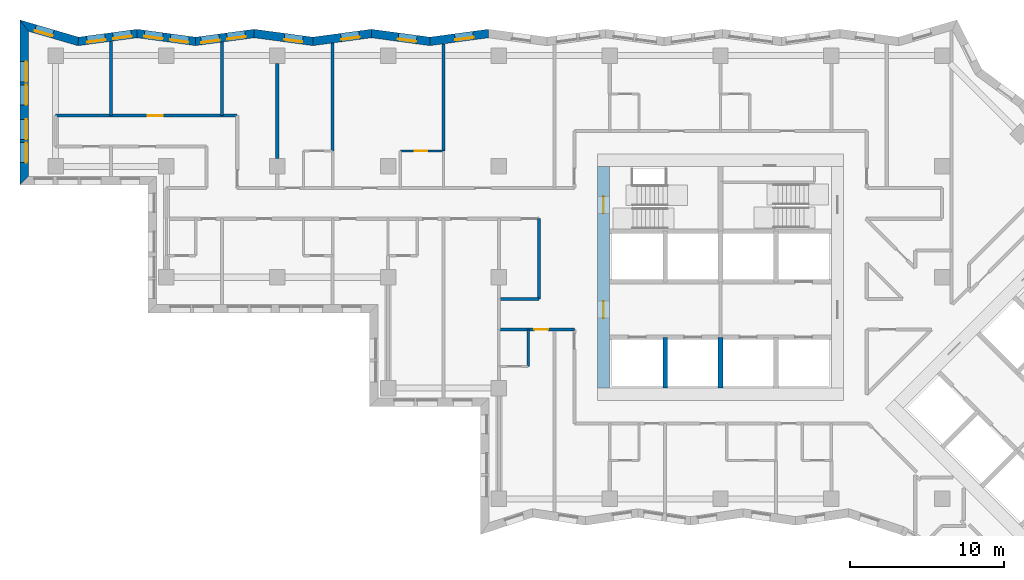
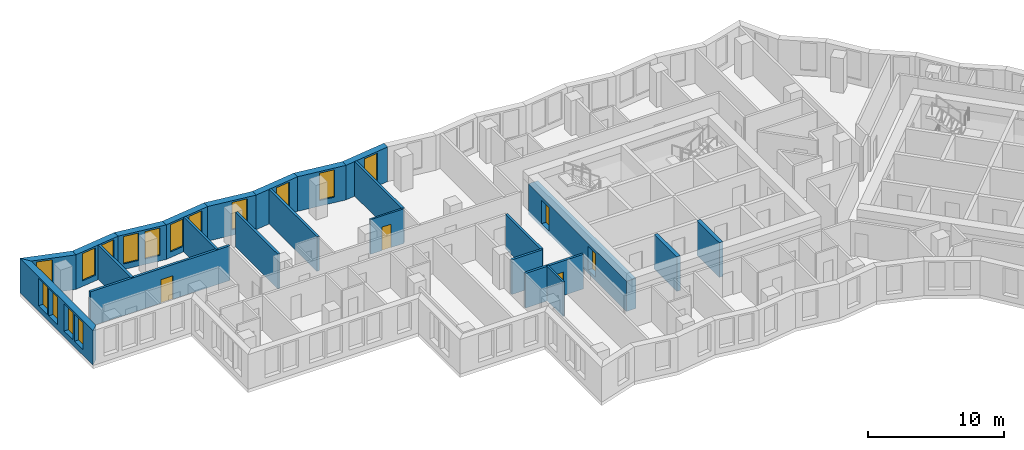
# One storey, part 5 of 13: 23 walls, 15 windows, 5 doors, 20 openings.
"""IFC4 building model written with IfcOpenShell, lengths in metres."""

from ifc_helpers import new_model, si_unit, direction, frame, frame_2d, origin, place, context, subcontext, project, spatial, polyline, rectangle, outline, extrude, material, layer, layer_set, type_object, element, fill, save


model = new_model("IFC4")

# Units and contexts
model_context = context("Model", 3, precision=1e-05, world=origin(), true_north=direction((0.0, 1.0)))
body_context = subcontext(model_context, "Body", "Model", "MODEL_VIEW")
ifc_project = project(units=[si_unit("LENGTHUNIT", "METRE"), si_unit("AREAUNIT", "SQUARE_METRE"), si_unit("VOLUMEUNIT", "CUBIC_METRE"), si_unit("PLANEANGLEUNIT", "RADIAN"), si_unit("MASSUNIT", "GRAM", prefix="KILO")], contexts=[model_context])

# Site, building, storey
site_placement = place(None, origin())
site = spatial("IfcSite", under=ifc_project, at=site_placement, CompositionType="ELEMENT")
building_placement = place(site_placement, origin())
building = spatial("IfcBuilding", under=site, at=building_placement, Name="Windrow Commons", CompositionType="ELEMENT")
storey_placement = place(building_placement, frame((0.0, 0.0, 105.0)))
storey = spatial("IfcBuildingStorey", under=building, at=storey_placement, Name="L28", CompositionType="ELEMENT", Elevation=105.0)

# Wall, opening, window
ifc_material_1 = material(Name="Brick masonry, red clay brick", Category="masonry")
ifc_layer_1 = layer(ifc_material_1, 0.55)
ifc_layer_set_1 = layer_set([ifc_layer_1], Name="Brick facade wall 550")
wall_type_1 = type_object("IfcWallType", Name="Brick facade wall 550", PredefinedType="SOLIDWALL", material=ifc_layer_set_1)
wall_1_placement = place(storey_placement, frame((49.7229, 73.4345, 0.0), z_axis=(0.0, 0.0, 1.0), x_axis=(-0.9910651652, -0.1333785524, 0.0)))
wall_1 = element("IfcWall", 1, at=wall_1_placement, inside=storey, type_object=wall_type_1, Name="Brick facade wall L28 29", PredefinedType="SOLIDWALL", context=body_context, shape_type="SweptSolid", body=[
    extrude(outline(polyline([(-0.037, -0.275), (3.8016, -0.275), (3.8757, 0.275), (0.037, 0.275), (-0.037, -0.275)])), origin(), (0.0, 0.0, 1.0), 3.1),
])
opening_1_placement = place(wall_1_placement, frame((0.9931, 0.0, 0.5)))
opening_1 = element("IfcOpeningElement", 2, at=opening_1_placement, cuts=wall_1, Name="Opening W7D", PredefinedType="OPENING", context=body_context, shape_type="SweptSolid", body=[
    extrude(rectangle(XDim=1.2, YDim=2.45, at=frame_2d((0.6, 1.225))), frame((0.0, 0.285, 0.0), z_axis=(0.0, -1.0, 0.0), x_axis=(1.0, 0.0, 0.0)), (0.0, 0.0, 1.0), 0.57),
])
ifc_material_2 = material(Name="Clear float glass in anodised aluminium frame", Category="aluminium")
window_type_1 = type_object("IfcWindowType", Name="Window W7 notch 1200x2450", PartitioningType="SINGLE_PANEL", PredefinedType="WINDOW", material=ifc_material_2)
window_1_placement = place(opening_1_placement, origin())
window_1 = element("IfcWindow", 3, at=window_1_placement, inside=storey, type_object=window_type_1, Name="Window L28 29.1", OverallHeight=2.45, OverallWidth=1.2, PartitioningType="SINGLE_PANEL", PredefinedType="WINDOW", context=body_context, shape_type="SweptSolid", body=[
    extrude(rectangle(XDim=1.2, YDim=2.45, at=frame_2d((0.6, 1.225))), frame((0.0, 0.155, 0.0), z_axis=(0.0, -1.0, 0.0), x_axis=(1.0, 0.0, 0.0)), (0.0, 0.0, 1.0), 0.06),
])
fill(opening_1, window_1)

wall_2_placement = place(storey_placement, frame((45.9185, 72.9225, 0.0), z_axis=(0.0, 0.0, 1.0), x_axis=(-0.9910651652, 0.1333785524, 0.0)))
wall_2 = element("IfcWall", 4, at=wall_2_placement, inside=storey, type_object=wall_type_1, Name="Brick facade wall L28 30", PredefinedType="SOLIDWALL", context=body_context, shape_type="SweptSolid", body=[
    extrude(outline(polyline([(0.037, -0.275), (3.8757, -0.275), (3.8016, 0.275), (-0.037, 0.275), (0.037, -0.275)])), origin(), (0.0, 0.0, 1.0), 3.1),
])
opening_2_placement = place(wall_2_placement, frame((0.8715, 0.0, 0.5)))
opening_2 = element("IfcOpeningElement", 5, at=opening_2_placement, cuts=wall_2, Name="Opening W7D", PredefinedType="OPENING", context=body_context, shape_type="SweptSolid", body=[
    extrude(rectangle(XDim=1.2, YDim=2.45, at=frame_2d((0.6, 1.225))), frame((0.0, 0.285, 0.0), z_axis=(0.0, -1.0, 0.0), x_axis=(1.0, 0.0, 0.0)), (0.0, 0.0, 1.0), 0.57),
])
window_2_placement = place(opening_2_placement, origin())
window_2 = element("IfcWindow", 6, at=window_2_placement, inside=storey, type_object=window_type_1, Name="Window L28 30.1", OverallHeight=2.45, OverallWidth=1.2, PartitioningType="SINGLE_PANEL", PredefinedType="WINDOW", context=body_context, shape_type="SweptSolid", body=[
    extrude(rectangle(XDim=1.2, YDim=2.45, at=frame_2d((0.6, 1.225))), frame((0.0, 0.155, 0.0), z_axis=(0.0, -1.0, 0.0), x_axis=(1.0, 0.0, 0.0)), (0.0, 0.0, 1.0), 0.06),
])
fill(opening_2, window_2)

wall_3_placement = place(storey_placement, frame((42.1141, 73.4345, 0.0), z_axis=(0.0, 0.0, 1.0), x_axis=(-0.9910647018, -0.133381996, 0.0)))
wall_3 = element("IfcWall", 7, at=wall_3_placement, inside=storey, type_object=wall_type_1, Name="Brick facade wall L28 31", PredefinedType="SOLIDWALL", context=body_context, shape_type="SweptSolid", body=[
    extrude(outline(polyline([(-0.037, -0.275), (3.8016, -0.275), (3.8757, 0.275), (0.037, 0.275), (-0.037, -0.275)])), origin(), (0.0, 0.0, 1.0), 3.1),
])
opening_3_placement = place(wall_3_placement, frame((0.7869, 0.0, 0.5)))
opening_3 = element("IfcOpeningElement", 8, at=opening_3_placement, cuts=wall_3, Name="Opening W7D", PredefinedType="OPENING", context=body_context, shape_type="SweptSolid", body=[
    extrude(rectangle(XDim=1.2, YDim=2.45, at=frame_2d((0.6, 1.225))), frame((0.0, 0.285, 0.0), z_axis=(0.0, -1.0, 0.0), x_axis=(1.0, 0.0, 0.0)), (0.0, 0.0, 1.0), 0.57),
])
window_3_placement = place(opening_3_placement, origin())
window_3 = element("IfcWindow", 9, at=window_3_placement, inside=storey, type_object=window_type_1, Name="Window L28 31.1", OverallHeight=2.45, OverallWidth=1.2, PartitioningType="SINGLE_PANEL", PredefinedType="WINDOW", context=body_context, shape_type="SweptSolid", body=[
    extrude(rectangle(XDim=1.2, YDim=2.45, at=frame_2d((0.6, 1.225))), frame((0.0, 0.155, 0.0), z_axis=(0.0, -1.0, 0.0), x_axis=(1.0, 0.0, 0.0)), (0.0, 0.0, 1.0), 0.06),
])
fill(opening_3, window_3)

wall_4_placement = place(storey_placement, frame((38.3098, 72.9225, 0.0), z_axis=(0.0, 0.0, 1.0), x_axis=(-0.9910651652, 0.1333785524, 0.0)))
wall_4 = element("IfcWall", 10, at=wall_4_placement, inside=storey, type_object=wall_type_1, Name="Brick facade wall L28 32", PredefinedType="SOLIDWALL", context=body_context, shape_type="SweptSolid", body=[
    extrude(outline(polyline([(0.037, -0.275), (3.8757, -0.275), (3.8016, 0.275), (-0.037, 0.275), (0.037, -0.275)])), origin(), (0.0, 0.0, 1.0), 3.1),
])
opening_4_placement = place(wall_4_placement, frame((0.6653, 0.0, 0.5)))
opening_4 = element("IfcOpeningElement", 11, at=opening_4_placement, cuts=wall_4, Name="Opening W7D", PredefinedType="OPENING", context=body_context, shape_type="SweptSolid", body=[
    extrude(rectangle(XDim=1.2, YDim=2.45, at=frame_2d((0.6, 1.225))), frame((0.0, 0.285, 0.0), z_axis=(0.0, -1.0, 0.0), x_axis=(1.0, 0.0, 0.0)), (0.0, 0.0, 1.0), 0.57),
])
window_4_placement = place(opening_4_placement, origin())
window_4 = element("IfcWindow", 12, at=window_4_placement, inside=storey, type_object=window_type_1, Name="Window L28 32.1", OverallHeight=2.45, OverallWidth=1.2, PartitioningType="SINGLE_PANEL", PredefinedType="WINDOW", context=body_context, shape_type="SweptSolid", body=[
    extrude(rectangle(XDim=1.2, YDim=2.45, at=frame_2d((0.6, 1.225))), frame((0.0, 0.155, 0.0), z_axis=(0.0, -1.0, 0.0), x_axis=(1.0, 0.0, 0.0)), (0.0, 0.0, 1.0), 0.06),
])
fill(opening_4, window_4)

# Wall, openings, windows
wall_5_placement = place(storey_placement, frame((34.5054, 73.4345, 0.0), z_axis=(0.0, 0.0, 1.0), x_axis=(-0.9910647018, -0.133381996, 0.0)))
wall_5 = element("IfcWall", 13, at=wall_5_placement, inside=storey, type_object=wall_type_1, Name="Brick facade wall L28 33", PredefinedType="SOLIDWALL", context=body_context, shape_type="SweptSolid", body=[
    extrude(outline(polyline([(-0.037, -0.275), (3.8016, -0.275), (3.8757, 0.275), (0.037, 0.275), (-0.037, -0.275)])), origin(), (0.0, 0.0, 1.0), 3.1),
])
opening_5_placement = place(wall_5_placement, frame((0.5807, 0.0, 0.5)))
opening_5 = element("IfcOpeningElement", 14, at=opening_5_placement, cuts=wall_5, Name="Opening W7D", PredefinedType="OPENING", context=body_context, shape_type="SweptSolid", body=[
    extrude(rectangle(XDim=1.2, YDim=2.45, at=frame_2d((0.6, 1.225))), frame((0.0, 0.285, 0.0), z_axis=(0.0, -1.0, 0.0), x_axis=(1.0, 0.0, 0.0)), (0.0, 0.0, 1.0), 0.57),
])
opening_6_placement = place(wall_5_placement, frame((2.2815, 0.0, 0.5)))
opening_6 = element("IfcOpeningElement", 15, at=opening_6_placement, cuts=wall_5, Name="Opening W7D", PredefinedType="OPENING", context=body_context, shape_type="SweptSolid", body=[
    extrude(rectangle(XDim=1.2, YDim=2.45, at=frame_2d((0.6, 1.225))), frame((0.0, 0.285, 0.0), z_axis=(0.0, -1.0, 0.0), x_axis=(1.0, 0.0, 0.0)), (0.0, 0.0, 1.0), 0.57),
])
window_5_placement = place(opening_5_placement, origin())
window_5 = element("IfcWindow", 16, at=window_5_placement, inside=storey, type_object=window_type_1, Name="Window L28 33.1", OverallHeight=2.45, OverallWidth=1.2, PartitioningType="SINGLE_PANEL", PredefinedType="WINDOW", context=body_context, shape_type="SweptSolid", body=[
    extrude(rectangle(XDim=1.2, YDim=2.45, at=frame_2d((0.6, 1.225))), frame((0.0, 0.155, 0.0), z_axis=(0.0, -1.0, 0.0), x_axis=(1.0, 0.0, 0.0)), (0.0, 0.0, 1.0), 0.06),
])
fill(opening_5, window_5)
window_6_placement = place(opening_6_placement, origin())
window_6 = element("IfcWindow", 17, at=window_6_placement, inside=storey, type_object=window_type_1, Name="Window L28 33.2", OverallHeight=2.45, OverallWidth=1.2, PartitioningType="SINGLE_PANEL", PredefinedType="WINDOW", context=body_context, shape_type="SweptSolid", body=[
    extrude(rectangle(XDim=1.2, YDim=2.45, at=frame_2d((0.6, 1.225))), frame((0.0, 0.155, 0.0), z_axis=(0.0, -1.0, 0.0), x_axis=(1.0, 0.0, 0.0)), (0.0, 0.0, 1.0), 0.06),
])
fill(opening_6, window_6)

wall_6_placement = place(storey_placement, frame((30.7011, 72.9225, 0.0), z_axis=(0.0, 0.0, 1.0), x_axis=(-0.9910651652, 0.1333785524, 0.0)))
wall_6 = element("IfcWall", 18, at=wall_6_placement, inside=storey, type_object=wall_type_1, Name="Brick facade wall L28 34", PredefinedType="SOLIDWALL", context=body_context, shape_type="SweptSolid", body=[
    extrude(outline(polyline([(0.037, -0.275), (3.8757, -0.275), (3.8016, 0.275), (-0.037, 0.275), (0.037, -0.275)])), origin(), (0.0, 0.0, 1.0), 3.1),
])
opening_7_placement = place(wall_6_placement, frame((0.4591, 0.0, 0.5)))
opening_7 = element("IfcOpeningElement", 19, at=opening_7_placement, cuts=wall_6, Name="Opening W7D", PredefinedType="OPENING", context=body_context, shape_type="SweptSolid", body=[
    extrude(rectangle(XDim=1.2, YDim=2.45, at=frame_2d((0.6, 1.225))), frame((0.0, 0.285, 0.0), z_axis=(0.0, -1.0, 0.0), x_axis=(1.0, 0.0, 0.0)), (0.0, 0.0, 1.0), 0.57),
])
opening_8_placement = place(wall_6_placement, frame((2.1599, 0.0, 0.5)))
opening_8 = element("IfcOpeningElement", 20, at=opening_8_placement, cuts=wall_6, Name="Opening W7D", PredefinedType="OPENING", context=body_context, shape_type="SweptSolid", body=[
    extrude(rectangle(XDim=1.2, YDim=2.45, at=frame_2d((0.6, 1.225))), frame((0.0, 0.285, 0.0), z_axis=(0.0, -1.0, 0.0), x_axis=(1.0, 0.0, 0.0)), (0.0, 0.0, 1.0), 0.57),
])
window_7_placement = place(opening_7_placement, origin())
window_7 = element("IfcWindow", 21, at=window_7_placement, inside=storey, type_object=window_type_1, Name="Window L28 34.1", OverallHeight=2.45, OverallWidth=1.2, PartitioningType="SINGLE_PANEL", PredefinedType="WINDOW", context=body_context, shape_type="SweptSolid", body=[
    extrude(rectangle(XDim=1.2, YDim=2.45, at=frame_2d((0.6, 1.225))), frame((0.0, 0.155, 0.0), z_axis=(0.0, -1.0, 0.0), x_axis=(1.0, 0.0, 0.0)), (0.0, 0.0, 1.0), 0.06),
])
fill(opening_7, window_7)
window_8_placement = place(opening_8_placement, origin())
window_8 = element("IfcWindow", 22, at=window_8_placement, inside=storey, type_object=window_type_1, Name="Window L28 34.2", OverallHeight=2.45, OverallWidth=1.2, PartitioningType="SINGLE_PANEL", PredefinedType="WINDOW", context=body_context, shape_type="SweptSolid", body=[
    extrude(rectangle(XDim=1.2, YDim=2.45, at=frame_2d((0.6, 1.225))), frame((0.0, 0.155, 0.0), z_axis=(0.0, -1.0, 0.0), x_axis=(1.0, 0.0, 0.0)), (0.0, 0.0, 1.0), 0.06),
])
fill(opening_8, window_8)

wall_7_placement = place(storey_placement, frame((26.8967, 73.4345, 0.0), z_axis=(0.0, 0.0, 1.0), x_axis=(-0.9910665233, -0.1333684607, 0.0)))
wall_7 = element("IfcWall", 23, at=wall_7_placement, inside=storey, type_object=wall_type_1, Name="Brick facade wall L28 35", PredefinedType="SOLIDWALL", context=body_context, shape_type="SweptSolid", body=[
    extrude(outline(polyline([(-0.037, -0.275), (3.8016, -0.275), (3.9183, 0.275), (0.037, 0.275), (-0.037, -0.275)])), origin(), (0.0, 0.0, 1.0), 3.1),
])
opening_9_placement = place(wall_7_placement, frame((0.3745, 0.0, 0.5)))
opening_9 = element("IfcOpeningElement", 24, at=opening_9_placement, cuts=wall_7, Name="Opening W7D", PredefinedType="OPENING", context=body_context, shape_type="SweptSolid", body=[
    extrude(rectangle(XDim=1.2, YDim=2.45, at=frame_2d((0.6, 1.225))), frame((0.0, 0.285, 0.0), z_axis=(0.0, -1.0, 0.0), x_axis=(1.0, 0.0, 0.0)), (0.0, 0.0, 1.0), 0.57),
])
opening_10_placement = place(wall_7_placement, frame((2.086, 0.0, 0.5)))
opening_10 = element("IfcOpeningElement", 25, at=opening_10_placement, cuts=wall_7, Name="Opening W7D", PredefinedType="OPENING", context=body_context, shape_type="SweptSolid", body=[
    extrude(rectangle(XDim=1.2, YDim=2.45, at=frame_2d((0.6, 1.225))), frame((0.0, 0.285, 0.0), z_axis=(0.0, -1.0, 0.0), x_axis=(1.0, 0.0, 0.0)), (0.0, 0.0, 1.0), 0.57),
])
window_9_placement = place(opening_9_placement, origin())
window_9 = element("IfcWindow", 26, at=window_9_placement, inside=storey, type_object=window_type_1, Name="Window L28 35.1", OverallHeight=2.45, OverallWidth=1.2, PartitioningType="SINGLE_PANEL", PredefinedType="WINDOW", context=body_context, shape_type="SweptSolid", body=[
    extrude(rectangle(XDim=1.2, YDim=2.45, at=frame_2d((0.6, 1.225))), frame((0.0, 0.155, 0.0), z_axis=(0.0, -1.0, 0.0), x_axis=(1.0, 0.0, 0.0)), (0.0, 0.0, 1.0), 0.06),
])
fill(opening_9, window_9)
window_10_placement = place(opening_10_placement, origin())
window_10 = element("IfcWindow", 27, at=window_10_placement, inside=storey, type_object=window_type_1, Name="Window L28 35.2", OverallHeight=2.45, OverallWidth=1.2, PartitioningType="SINGLE_PANEL", PredefinedType="WINDOW", context=body_context, shape_type="SweptSolid", body=[
    extrude(rectangle(XDim=1.2, YDim=2.45, at=frame_2d((0.6, 1.225))), frame((0.0, 0.155, 0.0), z_axis=(0.0, -1.0, 0.0), x_axis=(1.0, 0.0, 0.0)), (0.0, 0.0, 1.0), 0.06),
])
fill(opening_10, window_10)

# Wall, opening, window
wall_8_placement = place(storey_placement, frame((23.0712, 72.9197, 0.0), z_axis=(0.0, 0.0, 1.0), x_axis=(-0.9598398865, 0.280548378, 0.0)))
wall_8 = element("IfcWall", 28, at=wall_8_placement, inside=storey, type_object=wall_type_1, Name="Brick facade wall L28 36", PredefinedType="SOLIDWALL", context=body_context, shape_type="SweptSolid", body=[
    extrude(outline(polyline([(0.0583, -0.275), (4.0219, -0.275), (3.2881, 0.275), (-0.0583, 0.275), (0.0583, -0.275)])), origin(), (0.0, 0.0, 1.0), 3.1),
])
opening_11_placement = place(wall_8_placement, frame((1.7104, 0.0, 0.5)))
opening_11 = element("IfcOpeningElement", 29, at=opening_11_placement, cuts=wall_8, Name="Opening W7D", PredefinedType="OPENING", context=body_context, shape_type="SweptSolid", body=[
    extrude(rectangle(XDim=1.2, YDim=2.45, at=frame_2d((0.6, 1.225))), frame((0.0, 0.285, 0.0), z_axis=(0.0, -1.0, 0.0), x_axis=(1.0, 0.0, 0.0)), (0.0, 0.0, 1.0), 0.57),
])
window_11_placement = place(opening_11_placement, origin())
window_11 = element("IfcWindow", 30, at=window_11_placement, inside=storey, type_object=window_type_1, Name="Window L28 36.1", OverallHeight=2.45, OverallWidth=1.2, PartitioningType="SINGLE_PANEL", PredefinedType="WINDOW", context=body_context, shape_type="SweptSolid", body=[
    extrude(rectangle(XDim=1.2, YDim=2.45, at=frame_2d((0.6, 1.225))), frame((0.0, 0.155, 0.0), z_axis=(0.0, -1.0, 0.0), x_axis=(1.0, 0.0, 0.0)), (0.0, 0.0, 1.0), 0.06),
])
fill(opening_11, window_11)

# Wall, openings, windows
wall_9_placement = place(storey_placement, frame((19.563, 73.9451, 0.0), z_axis=(0.0, 0.0, 1.0), x_axis=(0.0, -1.0, 0.0)))
wall_9 = element("IfcWall", 31, at=wall_9_placement, inside=storey, type_object=wall_type_1, Name="Brick facade wall L28 37", PredefinedType="SOLIDWALL", context=body_context, shape_type="SweptSolid", body=[
    extrude(outline(polyline([(-0.3669, -0.275), (10.3451, -0.275), (9.7951, 0.275), (0.3669, 0.275), (-0.3669, -0.275)])), origin(), (0.0, 0.0, 1.0), 3.1),
])
opening_12_placement = place(wall_9_placement, frame((2.3451, 0.0, 0.5)))
opening_12 = element("IfcOpeningElement", 32, at=opening_12_placement, cuts=wall_9, Name="Opening W1P", PredefinedType="OPENING", context=body_context, shape_type="SweptSolid", body=[
    extrude(rectangle(XDim=1.3, YDim=2.45, at=frame_2d((0.65, 1.225))), frame((0.0, 0.285, 0.0), z_axis=(0.0, -1.0, 0.0), x_axis=(1.0, 0.0, 0.0)), (0.0, 0.0, 1.0), 0.57),
])
opening_13_placement = place(wall_9_placement, frame((3.8451, 0.0, 0.5)))
opening_13 = element("IfcOpeningElement", 33, at=opening_13_placement, cuts=wall_9, Name="Opening W1P", PredefinedType="OPENING", context=body_context, shape_type="SweptSolid", body=[
    extrude(rectangle(XDim=1.3, YDim=2.45, at=frame_2d((0.65, 1.225))), frame((0.0, 0.285, 0.0), z_axis=(0.0, -1.0, 0.0), x_axis=(1.0, 0.0, 0.0)), (0.0, 0.0, 1.0), 0.57),
])
opening_14_placement = place(wall_9_placement, frame((6.0951, 0.0, 0.5)))
opening_14 = element("IfcOpeningElement", 34, at=opening_14_placement, cuts=wall_9, Name="Opening W1P", PredefinedType="OPENING", context=body_context, shape_type="SweptSolid", body=[
    extrude(rectangle(XDim=1.3, YDim=2.45, at=frame_2d((0.65, 1.225))), frame((0.0, 0.285, 0.0), z_axis=(0.0, -1.0, 0.0), x_axis=(1.0, 0.0, 0.0)), (0.0, 0.0, 1.0), 0.57),
])
opening_15_placement = place(wall_9_placement, frame((7.5951, 0.0, 0.5)))
opening_15 = element("IfcOpeningElement", 35, at=opening_15_placement, cuts=wall_9, Name="Opening W1P", PredefinedType="OPENING", context=body_context, shape_type="SweptSolid", body=[
    extrude(rectangle(XDim=1.3, YDim=2.45, at=frame_2d((0.65, 1.225))), frame((0.0, 0.285, 0.0), z_axis=(0.0, -1.0, 0.0), x_axis=(1.0, 0.0, 0.0)), (0.0, 0.0, 1.0), 0.57),
])
ifc_material_3 = material(Name="Clear float glass in anodised aluminium frame", Category="aluminium")
window_type_2 = type_object("IfcWindowType", Name="Window W1P pair 1300x2450", PartitioningType="SINGLE_PANEL", PredefinedType="WINDOW", material=ifc_material_3)
window_12_placement = place(opening_12_placement, origin())
window_12 = element("IfcWindow", 36, at=window_12_placement, inside=storey, type_object=window_type_2, Name="Window L28 37.1A", OverallHeight=2.45, OverallWidth=1.3, PartitioningType="SINGLE_PANEL", PredefinedType="WINDOW", context=body_context, shape_type="SweptSolid", body=[
    extrude(rectangle(XDim=1.3, YDim=2.45, at=frame_2d((0.65, 1.225))), frame((0.0, 0.155, 0.0), z_axis=(0.0, -1.0, 0.0), x_axis=(1.0, 0.0, 0.0)), (0.0, 0.0, 1.0), 0.06),
])
fill(opening_12, window_12)
window_13_placement = place(opening_13_placement, origin())
window_13 = element("IfcWindow", 37, at=window_13_placement, inside=storey, type_object=window_type_2, Name="Window L28 37.1B", OverallHeight=2.45, OverallWidth=1.3, PartitioningType="SINGLE_PANEL", PredefinedType="WINDOW", context=body_context, shape_type="SweptSolid", body=[
    extrude(rectangle(XDim=1.3, YDim=2.45, at=frame_2d((0.65, 1.225))), frame((0.0, 0.155, 0.0), z_axis=(0.0, -1.0, 0.0), x_axis=(1.0, 0.0, 0.0)), (0.0, 0.0, 1.0), 0.06),
])
fill(opening_13, window_13)
window_14_placement = place(opening_14_placement, origin())
window_14 = element("IfcWindow", 38, at=window_14_placement, inside=storey, type_object=window_type_2, Name="Window L28 37.2A", OverallHeight=2.45, OverallWidth=1.3, PartitioningType="SINGLE_PANEL", PredefinedType="WINDOW", context=body_context, shape_type="SweptSolid", body=[
    extrude(rectangle(XDim=1.3, YDim=2.45, at=frame_2d((0.65, 1.225))), frame((0.0, 0.155, 0.0), z_axis=(0.0, -1.0, 0.0), x_axis=(1.0, 0.0, 0.0)), (0.0, 0.0, 1.0), 0.06),
])
fill(opening_14, window_14)
window_15_placement = place(opening_15_placement, origin())
window_15 = element("IfcWindow", 39, at=window_15_placement, inside=storey, type_object=window_type_2, Name="Window L28 37.2B", OverallHeight=2.45, OverallWidth=1.3, PartitioningType="SINGLE_PANEL", PredefinedType="WINDOW", context=body_context, shape_type="SweptSolid", body=[
    extrude(rectangle(XDim=1.3, YDim=2.45, at=frame_2d((0.65, 1.225))), frame((0.0, 0.155, 0.0), z_axis=(0.0, -1.0, 0.0), x_axis=(1.0, 0.0, 0.0)), (0.0, 0.0, 1.0), 0.06),
])
fill(opening_15, window_15)

# Wall, opening, door
ifc_material_4 = material(Name="Blockwork partition", Category="masonry")
ifc_layer_2 = layer(ifc_material_4, 0.2)
ifc_layer_set_2 = layer_set([ifc_layer_2], Name="IW-CORRIDOR-200")
wall_type_2 = type_object("IfcWallType", Name="IW-CORRIDOR-200", PredefinedType="PARTITIONING", material=ifc_layer_set_2)
wall_10_placement = place(storey_placement, frame((21.602, 68.1, 0.0), z_axis=(0.0, 0.0, 1.0), x_axis=(1.0, 0.0, 0.0)))
wall_10 = element("IfcWall", 40, at=wall_10_placement, inside=storey, type_object=wall_type_2, Name="W-L28-W009", PredefinedType="PARTITIONING", context=body_context, shape_type="SweptSolid", body=[
    extrude(rectangle(XDim=11.798, YDim=0.2, at=frame_2d((5.899, 0.0))), origin(), (0.0, 0.0, 1.0), 3.1),
])
opening_16_placement = place(wall_10_placement, frame((5.9717, 0.0, 0.0)))
opening_16 = element("IfcOpeningElement", 41, at=opening_16_placement, cuts=wall_10, Name="Opening D310F", PredefinedType="OPENING", context=body_context, shape_type="SweptSolid", body=[
    extrude(rectangle(XDim=1.0, YDim=2.1, at=frame_2d((0.5, 1.05))), frame((0.0, 0.11, 0.0), z_axis=(0.0, -1.0, 0.0), x_axis=(1.0, 0.0, 0.0)), (0.0, 0.0, 1.0), 0.22),
])
ifc_material_5 = material(Name="Timber door leaf", Category="wood")
door_type_1 = type_object("IfcDoorType", Name="DT-AMENITY-1000", OperationType="SINGLE_SWING_LEFT", PredefinedType="DOOR", material=ifc_material_5)
door_1_placement = place(opening_16_placement, origin())
door_1 = element("IfcDoor", 42, at=door_1_placement, inside=storey, type_object=door_type_1, Name="D-L28-D003", OperationType="SINGLE_SWING_LEFT", OverallHeight=2.1, OverallWidth=1.0, PredefinedType="DOOR", context=body_context, shape_type="SweptSolid", body=[
    extrude(rectangle(XDim=1.0, YDim=2.1, at=frame_2d((0.5, 1.05))), frame((0.0, 0.025, 0.0), z_axis=(0.0, -1.0, 0.0), x_axis=(1.0, 0.0, 0.0)), (0.0, 0.0, 1.0), 0.05),
])
fill(opening_16, door_1)

# Wall
wall_11_placement = place(storey_placement, frame((53.0, 56.202, 0.0), z_axis=(0.0, 0.0, 1.0), x_axis=(0.0, 1.0, 0.0)))
element("IfcWall", 43, at=wall_11_placement, inside=storey, type_object=wall_type_2, Name="W-L28-W037", PredefinedType="PARTITIONING", context=body_context, shape_type="SweptSolid", body=[
    extrude(rectangle(XDim=5.198, YDim=0.2, at=frame_2d((2.599, 0.0))), origin(), (0.0, 0.0, 1.0), 3.1),
])

# Wall, opening, door
wall_12_placement = place(storey_placement, frame((50.4, 54.2, 0.0), z_axis=(0.0, 0.0, 1.0), x_axis=(1.0, 0.0, 0.0)))
wall_12 = element("IfcWall", 44, at=wall_12_placement, inside=storey, type_object=wall_type_2, Name="W-L28-W039", PredefinedType="PARTITIONING", context=body_context, shape_type="SweptSolid", body=[
    extrude(rectangle(XDim=4.9, YDim=0.2, at=frame_2d((2.45, 0.0))), origin(), (0.0, 0.0, 1.0), 3.1),
])
opening_17_placement = place(wall_12_placement, frame((2.3, 0.0, 0.0)))
opening_17 = element("IfcOpeningElement", 45, at=opening_17_placement, cuts=wall_12, Name="Opening D109S", PredefinedType="OPENING", context=body_context, shape_type="SweptSolid", body=[
    extrude(rectangle(XDim=0.9, YDim=2.1, at=frame_2d((0.45, 1.05))), frame((0.0, 0.11, 0.0), z_axis=(0.0, -1.0, 0.0), x_axis=(1.0, 0.0, 0.0)), (0.0, 0.0, 1.0), 0.22),
])
ifc_material_6 = material(Name="Timber door leaf", Category="wood")
door_type_2 = type_object("IfcDoorType", Name="DT-BEDROOM-900", OperationType="SINGLE_SWING_LEFT", PredefinedType="DOOR", material=ifc_material_6)
door_2_placement = place(opening_17_placement, origin())
door_2 = element("IfcDoor", 46, at=door_2_placement, inside=storey, type_object=door_type_2, Name="D-L28-D021", OperationType="SINGLE_SWING_LEFT", OverallHeight=2.1, OverallWidth=0.9, PredefinedType="DOOR", context=body_context, shape_type="SweptSolid", body=[
    extrude(rectangle(XDim=0.9, YDim=2.1, at=frame_2d((0.45, 1.05))), frame((0.0, 0.025, 0.0), z_axis=(0.0, -1.0, 0.0), x_axis=(1.0, 0.0, 0.0)), (0.0, 0.0, 1.0), 0.05),
])
fill(opening_17, door_2)

# Wall
wall_13_placement = place(storey_placement, frame((50.4, 56.2, 0.0), z_axis=(0.0, 0.0, 1.0), x_axis=(1.0, 0.0, 0.0)))
element("IfcWall", 47, at=wall_13_placement, inside=storey, type_object=wall_type_2, Name="W-L28-W062", PredefinedType="PARTITIONING", context=body_context, shape_type="SweptSolid", body=[
    extrude(rectangle(XDim=2.6, YDim=0.2, at=frame_2d((1.3, 0.0))), origin(), (0.0, 0.0, 1.0), 3.1),
])

# Wall, opening, door
ifc_material_7 = material(Name="Blockwork partition", Category="masonry")
ifc_layer_3 = layer(ifc_material_7, 0.15)
ifc_layer_set_3 = layer_set([ifc_layer_3], Name="IW-ENSUITE-150")
wall_type_3 = type_object("IfcWallType", Name="IW-ENSUITE-150", PredefinedType="PARTITIONING", material=ifc_layer_set_3)
wall_14_placement = place(storey_placement, frame((44.0, 65.8, 0.0), z_axis=(0.0, 0.0, 1.0), x_axis=(1.0, 0.0, 0.0)))
wall_14 = element("IfcWall", 48, at=wall_14_placement, inside=storey, type_object=wall_type_3, Name="W-L28-W060", PredefinedType="PARTITIONING", context=body_context, shape_type="SweptSolid", body=[
    extrude(rectangle(XDim=2.8, YDim=0.15, at=frame_2d((1.4, 0.0))), origin(), (0.0, 0.0, 1.0), 3.1),
])
opening_18_placement = place(wall_14_placement, frame((0.94, 0.0, 0.0)))
opening_18 = element("IfcOpeningElement", 49, at=opening_18_placement, cuts=wall_14, Name="Opening D208N", PredefinedType="OPENING", context=body_context, shape_type="SweptSolid", body=[
    extrude(rectangle(XDim=0.8, YDim=2.1, at=frame_2d((0.4, 1.05))), frame((0.0, 0.085, 0.0), z_axis=(0.0, -1.0, 0.0), x_axis=(1.0, 0.0, 0.0)), (0.0, 0.0, 1.0), 0.17),
])
ifc_material_8 = material(Name="Timber door leaf", Category="wood")
door_type_3 = type_object("IfcDoorType", Name="DT-ENSUITE-800", OperationType="SINGLE_SWING_LEFT", PredefinedType="DOOR", material=ifc_material_8)
door_3_placement = place(opening_18_placement, origin())
door_3 = element("IfcDoor", 50, at=door_3_placement, inside=storey, type_object=door_type_3, Name="D-L28-D012", OperationType="SINGLE_SWING_RIGHT", OverallHeight=2.1, OverallWidth=0.8, PredefinedType="DOOR", context=body_context, shape_type="SweptSolid", body=[
    extrude(rectangle(XDim=0.8, YDim=2.1, at=frame_2d((0.4, 1.05))), frame((0.0, 0.025, 0.0), z_axis=(0.0, -1.0, 0.0), x_axis=(1.0, 0.0, 0.0)), (0.0, 0.0, 1.0), 0.05),
])
fill(opening_18, door_3)

# Walls
wall_15_placement = place(storey_placement, frame((52.3, 51.8, 0.0), z_axis=(0.0, 0.0, 1.0), x_axis=(0.0, 1.0, 0.0)))
element("IfcWall", 51, at=wall_15_placement, inside=storey, type_object=wall_type_3, Name="W-L28-W070", PredefinedType="PARTITIONING", context=body_context, shape_type="SweptSolid", body=[
    extrude(rectangle(XDim=2.4, YDim=0.15, at=frame_2d((1.2, 0.0))), origin(), (0.0, 0.0, 1.0), 3.1),
])
ifc_material_9 = material(Name="Blockwork partition", Category="masonry")
ifc_layer_4 = layer(ifc_material_9, 0.2)
ifc_layer_set_4 = layer_set([ifc_layer_4], Name="IW-PARTY-200")
wall_type_4 = type_object("IfcWallType", Name="IW-PARTY-200", PredefinedType="PARTITIONING", material=ifc_layer_set_4)
wall_16_placement = place(storey_placement, frame((39.6, 65.8, 0.0), z_axis=(0.0, 0.0, 1.0), x_axis=(0.0, 1.0, 0.0)))
element("IfcWall", 52, at=wall_16_placement, inside=storey, type_object=wall_type_4, Name="W-L28-W020", PredefinedType="PARTITIONING", context=body_context, shape_type="SweptSolid", body=[
    extrude(rectangle(XDim=7.0187, YDim=0.2, at=frame_2d((3.5093, 0.0))), origin(), (0.0, 0.0, 1.0), 3.1),
])
wall_17_placement = place(storey_placement, frame((46.8, 65.8, 0.0), z_axis=(0.0, 0.0, 1.0), x_axis=(0.0, 1.0, 0.0)))
element("IfcWall", 53, at=wall_17_placement, inside=storey, type_object=wall_type_4, Name="W-L28-W021", PredefinedType="PARTITIONING", context=body_context, shape_type="SweptSolid", body=[
    extrude(rectangle(XDim=6.9637, YDim=0.2, at=frame_2d((3.4819, 0.0))), origin(), (0.0, 0.0, 1.0), 3.1),
])
wall_18_placement = place(storey_placement, frame((36.0, 65.3, 0.0), z_axis=(0.0, 0.0, 1.0), x_axis=(0.0, 1.0, 0.0)))
element("IfcWall", 54, at=wall_18_placement, inside=storey, type_object=wall_type_4, Name="W-L28-W024", PredefinedType="PARTITIONING", context=body_context, shape_type="SweptSolid", body=[
    extrude(rectangle(XDim=6.2, YDim=0.2, at=frame_2d((3.1, 0.0))), origin(), (0.0, 0.0, 1.0), 3.1),
])
wall_19_placement = place(storey_placement, frame((25.2, 68.1, 0.0), z_axis=(0.0, 0.0, 1.0), x_axis=(0.0, 1.0, 0.0)))
element("IfcWall", 55, at=wall_19_placement, inside=storey, type_object=wall_type_4, Name="W-L28-W041", PredefinedType="PARTITIONING", context=body_context, shape_type="SweptSolid", body=[
    extrude(rectangle(XDim=4.8287, YDim=0.2, at=frame_2d((2.4144, 0.0))), origin(), (0.0, 0.0, 1.0), 3.1),
])
wall_20_placement = place(storey_placement, frame((32.4, 68.1, 0.0), z_axis=(0.0, 0.0, 1.0), x_axis=(0.0, 1.0, 0.0)))
element("IfcWall", 56, at=wall_20_placement, inside=storey, type_object=wall_type_4, Name="W-L28-W042", PredefinedType="PARTITIONING", context=body_context, shape_type="SweptSolid", body=[
    extrude(rectangle(XDim=4.7737, YDim=0.2, at=frame_2d((2.3868, 0.0))), origin(), (0.0, 0.0, 1.0), 3.1),
])

# Wall, openings, doors
ifc_material_10 = material(Name="Concrete C50/60", Category="concrete")
ifc_layer_5 = layer(ifc_material_10, 0.8)
ifc_layer_set_5 = layer_set([ifc_layer_5], Name="RC CORE WALL 800 C50/60")
wall_type_5 = type_object("IfcWallType", Name="RC CORE WALL 800 C50/60", PredefinedType="SHEAR", material=ifc_layer_set_5)
wall_21_placement = place(storey_placement, frame((57.2, 50.4, -0.3), z_axis=(0.0, 0.0, 1.0), x_axis=(0.0, 1.0, 0.0)))
wall_21 = element("IfcWall", 57, at=wall_21_placement, inside=storey, type_object=wall_type_5, Name="Core A wall outer-W", PredefinedType="SHEAR", context=body_context, shape_type="SweptSolid", body=[
    extrude(rectangle(XDim=14.4, YDim=0.8, at=frame_2d((7.2, 0.0))), origin(), (0.0, 0.0, 1.0), 2.7),
])
opening_19_placement = place(wall_21_placement, frame((4.55, 0.0, 0.3)))
opening_19 = element("IfcOpeningElement", 58, at=opening_19_placement, cuts=wall_21, Name="Opening D6", PredefinedType="OPENING", context=body_context, shape_type="SweptSolid", body=[
    extrude(rectangle(XDim=1.1, YDim=2.1, at=frame_2d((0.55, 1.05))), frame((0.0, 0.41, 0.0), z_axis=(0.0, -1.0, 0.0), x_axis=(1.0, 0.0, 0.0)), (0.0, 0.0, 1.0), 0.82),
])
opening_20_placement = place(wall_21_placement, frame((11.35, 0.0, 0.3)))
opening_20 = element("IfcOpeningElement", 59, at=opening_20_placement, cuts=wall_21, Name="Opening D7", PredefinedType="OPENING", context=body_context, shape_type="SweptSolid", body=[
    extrude(rectangle(XDim=1.1, YDim=2.1, at=frame_2d((0.55, 1.05))), frame((0.0, 0.41, 0.0), z_axis=(0.0, -1.0, 0.0), x_axis=(1.0, 0.0, 0.0)), (0.0, 0.0, 1.0), 0.82),
])
ifc_material_11 = material(Name="Steel fire door leaf", Category="steel")
door_type_4 = type_object("IfcDoorType", Name="Core lobby door 1100", OperationType="SINGLE_SWING_LEFT", PredefinedType="DOOR", material=ifc_material_11)
door_4_placement = place(opening_19_placement, origin())
door_4 = element("IfcDoor", 60, at=door_4_placement, inside=storey, type_object=door_type_4, Name="Lift lobby door", OperationType="DOUBLE_DOOR_SINGLE_SWING", OverallHeight=2.1, OverallWidth=1.1, PredefinedType="DOOR", context=body_context, shape_type="SweptSolid", body=[
    extrude(rectangle(XDim=1.1, YDim=2.1, at=frame_2d((0.55, 1.05))), frame((0.0, 0.025, 0.0), z_axis=(0.0, -1.0, 0.0), x_axis=(1.0, 0.0, 0.0)), (0.0, 0.0, 1.0), 0.05),
])
fill(opening_19, door_4)
ifc_material_12 = material(Name="Steel fire door leaf", Category="steel")
door_type_5 = type_object("IfcDoorType", Name="Stair door 1100", OperationType="SINGLE_SWING_LEFT", PredefinedType="DOOR", material=ifc_material_12)
door_5_placement = place(opening_20_placement, origin())
door_5 = element("IfcDoor", 61, at=door_5_placement, inside=storey, type_object=door_type_5, Name="Stair door", OperationType="SINGLE_SWING_LEFT", OverallHeight=2.1, OverallWidth=1.1, PredefinedType="DOOR", context=body_context, shape_type="SweptSolid", body=[
    extrude(rectangle(XDim=1.1, YDim=2.1, at=frame_2d((0.55, 1.05))), frame((0.0, 0.025, 0.0), z_axis=(0.0, -1.0, 0.0), x_axis=(1.0, 0.0, 0.0)), (0.0, 0.0, 1.0), 0.05),
])
fill(opening_20, door_5)

# Walls
ifc_material_13 = material(Name="Concrete C50/60", Category="concrete")
ifc_layer_6 = layer(ifc_material_13, 0.3)
ifc_layer_set_6 = layer_set([ifc_layer_6], Name="RC SHAFT WALL 300 C50/60")
wall_type_6 = type_object("IfcWallType", Name="RC SHAFT WALL 300 C50/60", PredefinedType="SOLIDWALL", material=ifc_layer_set_6)
for number, where, z_axis, x_axis, name in (
    (62, (61.2, 50.4, 0.0), (0.0, 0.0, 1.0), (0.0, 1.0, 0.0), "Core A wall shaft-S1"),
    (63, (64.8, 50.4, 0.0), (0.0, 0.0, 1.0), (0.0, 1.0, 0.0), "Core A wall shaft-S2"),
):
    element("IfcWall", number, at=place(storey_placement, frame(where, z_axis=z_axis, x_axis=x_axis)), inside=storey, type_object=wall_type_6, Name=name, PredefinedType="SOLIDWALL", context=body_context, shape_type="SweptSolid", body=[
        extrude(rectangle(XDim=3.3, YDim=0.3, at=frame_2d((1.65, 0.0))), origin(), (0.0, 0.0, 1.0), 3.1),
    ])

save(model, "model.ifc")
